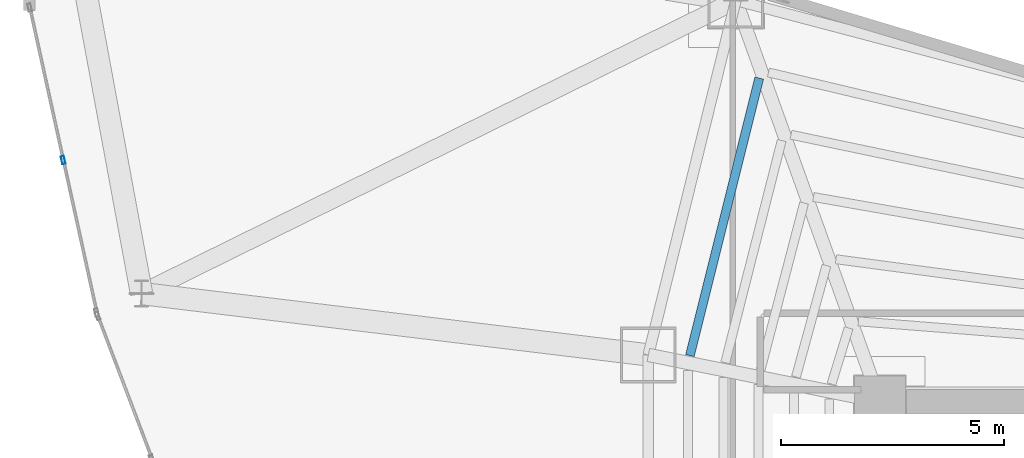
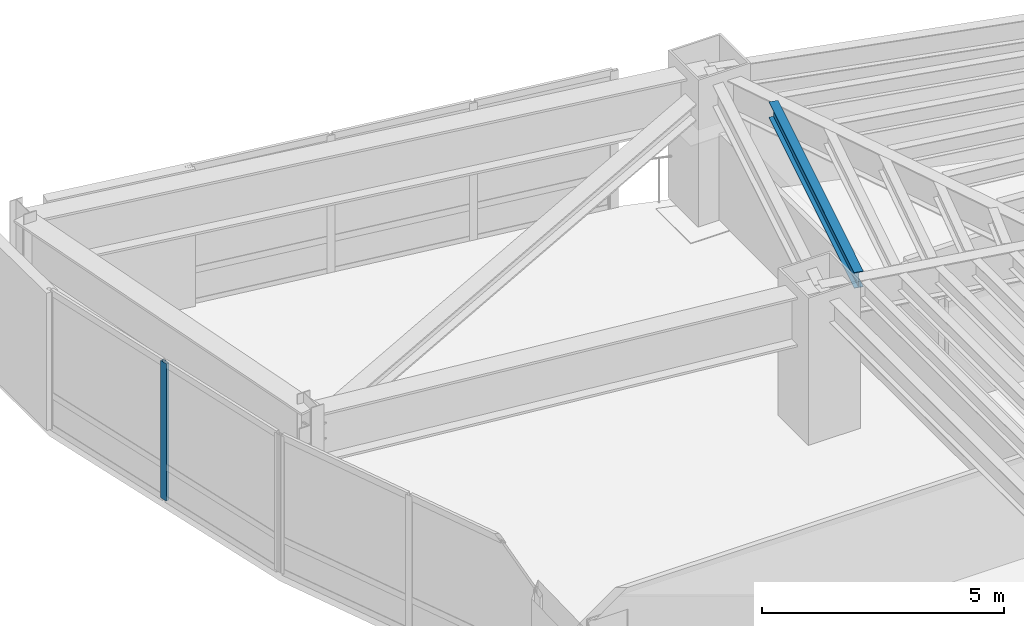
# One storey, part 9 of 23: 1 beam, 1 member, 1 element without a shape of its own.
"""IFC4 building model written with IfcOpenShell, lengths in metres."""

from ifc_helpers import new_model, si_unit, direction, frame, origin, origin_2d, place, context, subcontext, project, spatial, hollow_rectangle, i_section, extrude, material, layer, layer_set, material_profile, profile_set, type_object, element, aggregate, save


model = new_model("IFC4")

# Units and contexts
model_context = context("Model", 3, precision=1e-05, world=origin(), true_north=direction((0.0, 1.0)))
body_context = subcontext(model_context, "Body", "Model", "MODEL_VIEW")
ifc_project = project(units=[si_unit("LENGTHUNIT", "METRE"), si_unit("AREAUNIT", "SQUARE_METRE"), si_unit("VOLUMEUNIT", "CUBIC_METRE"), si_unit("PLANEANGLEUNIT", "RADIAN"), si_unit("MASSUNIT", "GRAM", prefix="KILO")], contexts=[model_context])

# Site, building, storey
site_placement = place(None, origin())
site = spatial("IfcSite", under=ifc_project, at=site_placement, CompositionType="ELEMENT")
building_placement = place(site_placement, origin())
building = spatial("IfcBuilding", under=site, at=building_placement, Name="Menara Vayukalpa", CompositionType="ELEMENT")
storey_placement = place(building_placement, frame((0.0, 0.0, 111.419921875)))
storey = spatial("IfcBuildingStorey", under=building, at=storey_placement, Name="L27", CompositionType="ELEMENT", Elevation=111.419921875)

# Beam
ifc_material_1 = material(Name="Steel S355", Category="steel")
ifc_material_profile_1 = material_profile(ifc_material_1, i_section(OverallWidth=0.199951171875, OverallDepth=0.39990234375, WebThickness=0.008056640625, FlangeThickness=0.012939453125, at=origin_2d()), Name="WF 400x200x8x13")
ifc_profile_set_1 = profile_set([ifc_material_profile_1], Name="Steel S355")
beam_type = type_object("IfcBeamType", Name="BM-SJ2", PredefinedType="JOIST", material=ifc_profile_set_1)
beam_placement = place(storey_placement, frame((15.09423828125, 34.055419921875, 3.27001953125), z_axis=(-0.242481900969, -0.970155929582, 0.0), x_axis=(0.970155929582, -0.242481900969, 0.0)))
element("IfcBeam", 1, at=beam_placement, inside=storey, type_object=beam_type, Name="L27 Secondary Floor Joist SJ04-5", PredefinedType="JOIST", context=body_context, shape_type="SweptSolid", body=[
    extrude(i_section(OverallWidth=0.199951171875, OverallDepth=0.39990234375, WebThickness=0.008056640625, FlangeThickness=0.012939453125, at=origin_2d()), origin(), (0.0, 0.0, 1.0), 6.41552734375),
])

# Curtain wall, member
ifc_material_2 = material(Name="Anodised Terracotta Aluminium Alloy 6063-T6", Category="masonry")
ifc_layer = layer(ifc_material_2, 0.179931640625)
ifc_layer_set = layer_set([ifc_layer], Name="Anodised Terracotta Aluminium Alloy 6063-T6")
curtain_wall_type = type_object("IfcCurtainWallType", Name="CW-CW4", PredefinedType="USERDEFINED", material=ifc_layer_set)
curtain_wall_placement = place(storey_placement, origin())
curtain_wall = element("IfcCurtainWall", 2, at=curtain_wall_placement, inside=storey, type_object=curtain_wall_type, Name="L27 Sky Bar Cantilever Glazed Curtain Wall CW4 10", ObjectType="UNITISED", PredefinedType="USERDEFINED")
ifc_material_3 = material(Name="Anodised Terracotta Aluminium Alloy 6063-T6", Category="masonry")
ifc_material_profile_2 = material_profile(ifc_material_3, hollow_rectangle(XDim=0.074951171875, YDim=0.179931640625, WallThickness=0.00390625, at=origin_2d()), Name="ALU 75x180x4")
ifc_profile_set_2 = profile_set([ifc_material_profile_2], Name="Anodised Terracotta Aluminium Alloy 6063-T6")
member_type = type_object("IfcMemberType", Name="CWM-CW4", PredefinedType="MULLION", material=ifc_profile_set_2)
member_placement = place(storey_placement, frame((-0.515869140625, 32.21484375, 0.0), z_axis=(0.0, 0.0, 1.0), x_axis=(0.976721757533, 0.214510159112, 0.0)))
member = element("IfcMember", 3, at=member_placement, type_object=member_type, Name="CW4 mullion 2", PredefinedType="MULLION", context=body_context, shape_type="SweptSolid", body=[
    extrude(hollow_rectangle(XDim=0.074951171875, YDim=0.179931640625, WallThickness=0.00390625, at=origin_2d()), origin(), (0.0, 0.0, 1.0), 3.469970703125),
])
aggregate(curtain_wall, [member])

save(model, "model.ifc")
